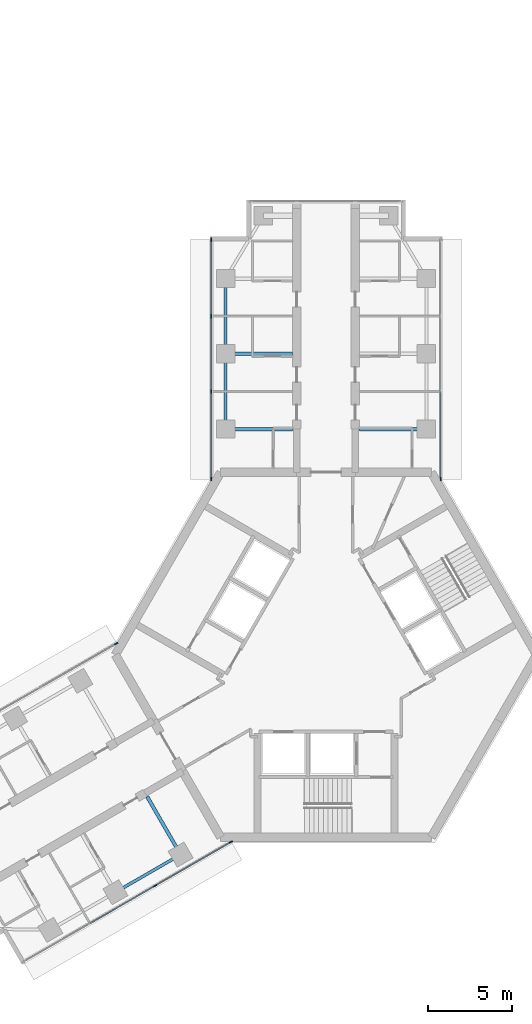
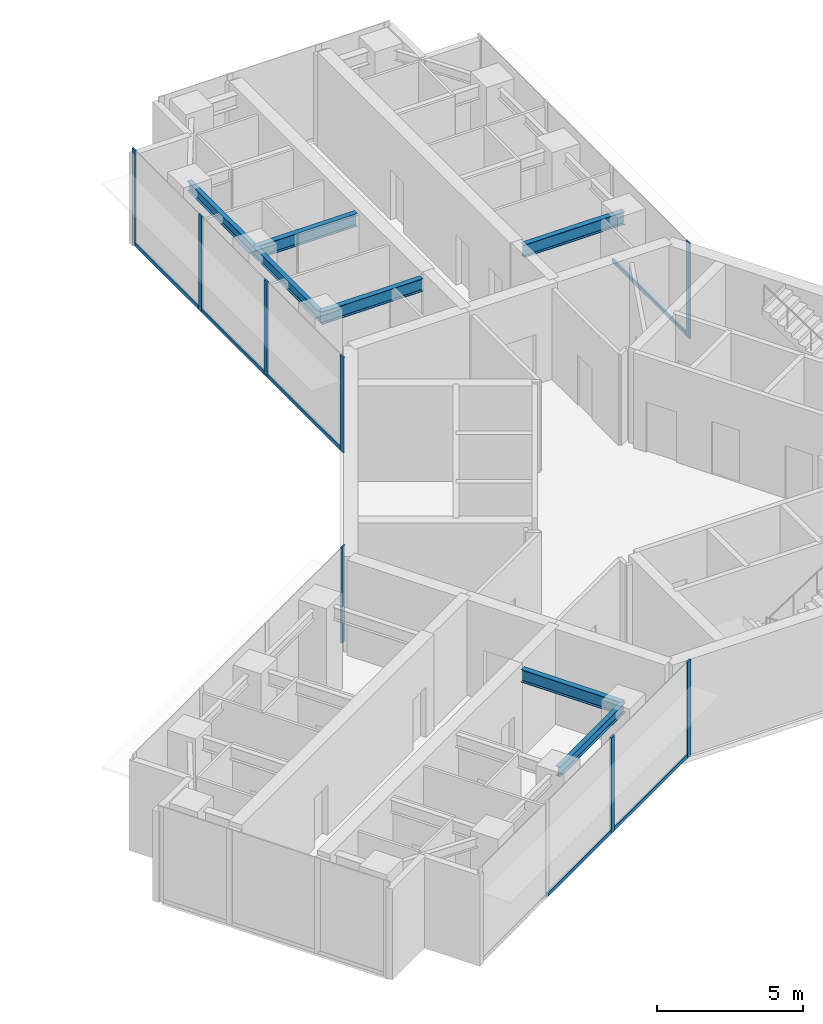
# One storey, part 8 of 18: 14 members, 7 beams, 4 elements without a shape of their own.
"""IFC4 building model written with IfcOpenShell, lengths in metres."""

from ifc_helpers import new_model, si_unit, direction, frame, origin, origin_2d, place, context, subcontext, project, spatial, rectangle, i_section, extrude, material, material_profile, profile_set, type_object, element, aggregate, save


model = new_model("IFC4")

# Units and contexts
model_context = context("Model", 3, precision=1e-05, world=origin(), true_north=direction((0.0, 1.0)))
body_context = subcontext(model_context, "Body", "Model", "MODEL_VIEW")
ifc_project = project(units=[si_unit("LENGTHUNIT", "METRE"), si_unit("AREAUNIT", "SQUARE_METRE"), si_unit("VOLUMEUNIT", "CUBIC_METRE"), si_unit("PLANEANGLEUNIT", "RADIAN"), si_unit("MASSUNIT", "GRAM", prefix="KILO")], contexts=[model_context])

# Site, building, storey
site_placement = place(None, origin())
site = spatial("IfcSite", under=ifc_project, at=site_placement, CompositionType="ELEMENT")
building_placement = place(site_placement, origin())
building = spatial("IfcBuilding", under=site, at=building_placement, Name="Upepo Twin Towers", CompositionType="ELEMENT")
storey_placement = place(building_placement, frame((0.0, 0.0, 222.5)))
storey = spatial("IfcBuildingStorey", under=building, at=storey_placement, Name="L54", CompositionType="ELEMENT", Elevation=222.5)

# Beams
ifc_material_1 = material(Name="Steel S355", Category="steel")
ifc_material_profile_1 = material_profile(ifc_material_1, i_section(OverallWidth=0.177978515625, OverallDepth=0.406494140625, WebThickness=0.0078125, FlangeThickness=0.0126953125, FilletRadius=0.01025390625, at=origin_2d()), Name="UB 406x178x60")
ifc_profile_set_1 = profile_set([ifc_material_profile_1], Name="Steel S355")
beam_type_1 = type_object("IfcBeamType", Name="Beam UB 406x178x60", PredefinedType="BEAM", material=ifc_profile_set_1)
for number, where, z_axis, x_axis, name in (
    (1, (52.5, -4.5, 3.5966796875), (0.0, 1.0, 0.0), (-1.0, 0.0, 0.0), "T2 edge beam AL 13.5-18.0"),
    (2, (52.5, 0.0, 3.5966796875), (0.0, 1.0, 0.0), (-1.0, 0.0, 0.0), "T2 edge beam AL 18.0-22.5"),
):
    element("IfcBeam", number, at=place(storey_placement, frame(where, z_axis=z_axis, x_axis=x_axis)), inside=storey, type_object=beam_type_1, Name=name, PredefinedType="BEAM", context=body_context, shape_type="SweptSolid", body=[
        extrude(i_section(OverallWidth=0.177978515625, OverallDepth=0.406494140625, WebThickness=0.0078125, FlangeThickness=0.0126953125, FilletRadius=0.01025390625, at=origin_2d()), origin(), (0.0, 0.0, 1.0), 4.5),
    ])
beam_placement = place(storey_placement, frame((49.80859375, -29.946044921875, 3.5966796875), z_axis=(-0.866017533419, -0.500013631625, 0.0), x_axis=(0.500013631625, -0.866017533419, 0.0)))
element("IfcBeam", 3, at=beam_placement, inside=storey, type_object=beam_type_1, Name="T2 edge beam BL 13.5-18.0", PredefinedType="BEAM", context=body_context, shape_type="SweptSolid", body=[
    extrude(i_section(OverallWidth=0.177978515625, OverallDepth=0.406494140625, WebThickness=0.0078125, FlangeThickness=0.0126953125, FilletRadius=0.01025390625, at=origin_2d()), origin(), (0.0, 0.0, 1.0), 4.499755859375),
])
ifc_material_2 = material(Name="Steel S355", Category="steel")
ifc_material_profile_2 = material_profile(ifc_material_2, i_section(OverallWidth=0.209228515625, OverallDepth=0.533203125, WebThickness=0.010009765625, FlangeThickness=0.015625, FilletRadius=0.0126953125, at=origin_2d()), Name="UB 533x210x92")
ifc_profile_set_2 = profile_set([ifc_material_profile_2], Name="Steel S355")
beam_type_2 = type_object("IfcBeamType", Name="Beam UB 533x210x92", PredefinedType="BEAM", material=ifc_profile_set_2)
for number, where, z_axis, x_axis, name in (
    (4, (52.5, -4.5, 3.533447265625), (1.0, 0.0, 0.0), (0.0, 1.0, 0.0), "T2 girder AL at 13.5"),
    (5, (52.5, 0.0, 3.533447265625), (1.0, 0.0, 0.0), (0.0, 1.0, 0.0), "T2 girder AL at 18.0"),
    (6, (64.5, -4.5, 3.533447265625), (-1.0, 0.0, 0.0), (0.0, -1.0, 0.0), "T2 girder AR at 13.5"),
    (7, (49.80859375, -29.946044921875, 3.533447265625), (-0.49999894854, 0.866026010844, 0.0), (-0.866026010844, -0.49999894854, 0.0), "T2 girder BL at 13.5"),
):
    element("IfcBeam", number, at=place(storey_placement, frame(where, z_axis=z_axis, x_axis=x_axis)), inside=storey, type_object=beam_type_2, Name=name, PredefinedType="BEAM", context=body_context, shape_type="SweptSolid", body=[
        extrude(i_section(OverallWidth=0.209228515625, OverallDepth=0.533203125, WebThickness=0.010009765625, FlangeThickness=0.015625, FilletRadius=0.0126953125, at=origin_2d()), origin(), (0.0, 0.0, 1.0), 4.0),
    ])

# Curtain wall, members
ifc_material_3 = material(Name="Aluminium and fritted glass", Category="aluminium")
curtain_wall_type = type_object("IfcCurtainWallType", Name="Tower curtain wall TW3, fritted glass", PredefinedType="NOTDEFINED", material=ifc_material_3)
curtain_wall_1_placement = place(storey_placement, origin())
curtain_wall_1 = element("IfcCurtainWall", 8, at=curtain_wall_1_placement, inside=storey, type_object=curtain_wall_type, Name="T2 L54 wing A flank L curtain wall", PredefinedType="NOTDEFINED")
ifc_material_4 = material(Name="Aluminium mullion", Category="aluminium")
ifc_material_profile_3 = material_profile(ifc_material_4, rectangle(XDim=0.06494140625, YDim=0.22509765625, at=origin_2d()), Name="MULLION 65x225")
ifc_profile_set_3 = profile_set([ifc_material_profile_3], Name="Aluminium mullion")
member_type_1 = type_object("IfcMemberType", Name="Mullion 65x225 TW3", PredefinedType="MULLION", material=ifc_profile_set_3)
member_1_placement = place(storey_placement, frame((51.64990234375, -7.48046875, 0.0), z_axis=(0.0, 0.0, 1.0), x_axis=(-1.0, 0.0, 0.0)))
member_1 = element("IfcMember", 9, at=member_1_placement, type_object=member_type_1, Name="T2 L54 wing A flank L curtain wall mullion 1", PredefinedType="MULLION", context=body_context, shape_type="SweptSolid", body=[
    extrude(rectangle(XDim=0.06494140625, YDim=0.22509765625, at=origin_2d()), origin(), (0.0, 0.0, 1.0), 4.0),
])
member_2_placement = place(storey_placement, frame((51.64990234375, -2.25, 0.0), z_axis=(0.0, 0.0, 1.0), x_axis=(-1.0, 0.0, 0.0)))
member_2 = element("IfcMember", 10, at=member_2_placement, type_object=member_type_1, Name="T2 L54 wing A flank L curtain wall mullion 2", PredefinedType="MULLION", context=body_context, shape_type="SweptSolid", body=[
    extrude(rectangle(XDim=0.06494140625, YDim=0.22509765625, at=origin_2d()), origin(), (0.0, 0.0, 1.0), 4.0),
])
member_3_placement = place(storey_placement, frame((51.64990234375, 2.25, 0.0), z_axis=(0.0, 0.0, 1.0), x_axis=(-1.0, 0.0, 0.0)))
member_3 = element("IfcMember", 11, at=member_3_placement, type_object=member_type_1, Name="T2 L54 wing A flank L curtain wall mullion 3", PredefinedType="MULLION", context=body_context, shape_type="SweptSolid", body=[
    extrude(rectangle(XDim=0.06494140625, YDim=0.22509765625, at=origin_2d()), origin(), (0.0, 0.0, 1.0), 4.0),
])
member_4_placement = place(storey_placement, frame((51.64990234375, 6.8173828125, 0.0), z_axis=(0.0, 0.0, 1.0), x_axis=(-1.0, 0.0, 0.0)))
member_4 = element("IfcMember", 12, at=member_4_placement, type_object=member_type_1, Name="T2 L54 wing A flank L curtain wall mullion 4", PredefinedType="MULLION", context=body_context, shape_type="SweptSolid", body=[
    extrude(rectangle(XDim=0.06494140625, YDim=0.22509765625, at=origin_2d()), origin(), (0.0, 0.0, 1.0), 4.0),
])

# Curtain wall, member
curtain_wall_2_placement = place(storey_placement, origin())
curtain_wall_2 = element("IfcCurtainWall", 13, at=curtain_wall_2_placement, inside=storey, type_object=curtain_wall_type, Name="T2 L54 wing A flank R curtain wall", PredefinedType="NOTDEFINED")
member_5_placement = place(storey_placement, frame((65.35009765625, -7.48046875, 0.0), z_axis=(0.0, 0.0, 1.0), x_axis=(1.0, 0.0, 0.0)))
member_5 = element("IfcMember", 14, at=member_5_placement, type_object=member_type_1, Name="T2 L54 wing A flank R curtain wall mullion 4", PredefinedType="MULLION", context=body_context, shape_type="SweptSolid", body=[
    extrude(rectangle(XDim=0.06494140625, YDim=0.22509765625, at=origin_2d()), origin(), (0.0, 0.0, 1.0), 4.0),
])

# Curtain wall, members
curtain_wall_3_placement = place(storey_placement, origin())
curtain_wall_3 = element("IfcCurtainWall", 15, at=curtain_wall_3_placement, inside=storey, type_object=curtain_wall_type, Name="T2 L54 wing B flank L curtain wall", PredefinedType="NOTDEFINED")
member_6_placement = place(storey_placement, frame((52.814697265625, -29.192138671875, 0.0), z_axis=(0.0, 0.0, 1.0), x_axis=(0.500000026527, -0.866025388469, 0.0)))
member_6 = element("IfcMember", 16, at=member_6_placement, type_object=member_type_1, Name="T2 L54 wing B flank L curtain wall mullion 1", PredefinedType="MULLION", context=body_context, shape_type="SweptSolid", body=[
    extrude(rectangle(XDim=0.06494140625, YDim=0.22509765625, at=origin_2d()), origin(), (0.0, 0.0, 1.0), 4.0),
])
member_7_placement = place(storey_placement, frame((48.28515625, -31.807373046875, 0.0), z_axis=(0.0, 0.0, 1.0), x_axis=(0.500000026527, -0.866025388469, 0.0)))
member_7 = element("IfcMember", 17, at=member_7_placement, type_object=member_type_1, Name="T2 L54 wing B flank L curtain wall mullion 2", PredefinedType="MULLION", context=body_context, shape_type="SweptSolid", body=[
    extrude(rectangle(XDim=0.06494140625, YDim=0.22509765625, at=origin_2d()), origin(), (0.0, 0.0, 1.0), 4.0),
])

# Curtain wall, member
curtain_wall_4_placement = place(storey_placement, origin())
curtain_wall_4 = element("IfcCurtainWall", 18, at=curtain_wall_4_placement, inside=storey, type_object=curtain_wall_type, Name="T2 L54 wing B flank R curtain wall", PredefinedType="NOTDEFINED")
member_8_placement = place(storey_placement, frame((45.96484375, -17.32763671875, 0.0), z_axis=(0.0, 0.0, 1.0), x_axis=(-0.500000026527, 0.866025388469, 0.0)))
member_8 = element("IfcMember", 19, at=member_8_placement, type_object=member_type_1, Name="T2 L54 wing B flank R curtain wall mullion 4", PredefinedType="MULLION", context=body_context, shape_type="SweptSolid", body=[
    extrude(rectangle(XDim=0.06494140625, YDim=0.22509765625, at=origin_2d()), origin(), (0.0, 0.0, 1.0), 4.0),
])
aggregate(curtain_wall_4, [member_8])

# Member
ifc_material_5 = material(Name="Aluminium transom", Category="aluminium")
ifc_material_profile_4 = material_profile(ifc_material_5, rectangle(XDim=0.06494140625, YDim=0.14990234375, at=origin_2d()), Name="TRANSOM 65x150")
ifc_profile_set_4 = profile_set([ifc_material_profile_4], Name="Aluminium transom")
member_type_2 = type_object("IfcMemberType", Name="Transom 65x150 TW3", PredefinedType="USERDEFINED", material=ifc_profile_set_4)
member_9_placement = place(storey_placement, frame((51.64990234375, -7.447998046875, 0.074951171875), z_axis=(0.0, 1.0, 0.0), x_axis=(-1.0, 0.0, 0.0)))
member_9 = element("IfcMember", 20, at=member_9_placement, type_object=member_type_2, Name="T2 L54 wing A flank L curtain wall transom 1", ObjectType="TRANSOM", PredefinedType="USERDEFINED", context=body_context, shape_type="SweptSolid", body=[
    extrude(rectangle(XDim=0.06494140625, YDim=0.14990234375, at=origin_2d()), origin(), (0.0, 0.0, 1.0), 5.16552734375),
])

member_10_placement = place(storey_placement, frame((51.64990234375, -2.217529296875, 0.074951171875), z_axis=(0.0, 1.0, 0.0), x_axis=(-1.0, 0.0, 0.0)))
member_10 = element("IfcMember", 21, at=member_10_placement, type_object=member_type_2, Name="T2 L54 wing A flank L curtain wall transom 2", ObjectType="TRANSOM", PredefinedType="USERDEFINED", context=body_context, shape_type="SweptSolid", body=[
    extrude(rectangle(XDim=0.06494140625, YDim=0.14990234375, at=origin_2d()), origin(), (0.0, 0.0, 1.0), 4.43505859375),
])

member_11_placement = place(storey_placement, frame((51.64990234375, 2.282470703125, 0.074951171875), z_axis=(0.0, 1.0, 0.0), x_axis=(-1.0, 0.0, 0.0)))
member_11 = element("IfcMember", 22, at=member_11_placement, type_object=member_type_2, Name="T2 L54 wing A flank L curtain wall transom 3", ObjectType="TRANSOM", PredefinedType="USERDEFINED", context=body_context, shape_type="SweptSolid", body=[
    extrude(rectangle(XDim=0.06494140625, YDim=0.14990234375, at=origin_2d()), origin(), (0.0, 0.0, 1.0), 4.50244140625),
])

aggregate(curtain_wall_1, [member_1, member_2, member_3, member_4, member_9, member_10, member_11])

member_12_placement = place(storey_placement, frame((65.35009765625, -2.282470703125, 0.074951171875), z_axis=(0.0, -1.0, 0.0), x_axis=(1.0, 0.0, 0.0)))
member_12 = element("IfcMember", 23, at=member_12_placement, type_object=member_type_2, Name="T2 L54 wing A flank R curtain wall transom 3", ObjectType="TRANSOM", PredefinedType="USERDEFINED", context=body_context, shape_type="SweptSolid", body=[
    extrude(rectangle(XDim=0.06494140625, YDim=0.14990234375, at=origin_2d()), origin(), (0.0, 0.0, 1.0), 5.16552734375),
])

aggregate(curtain_wall_2, [member_5, member_12])

member_13_placement = place(storey_placement, frame((52.78662109375, -29.208251953125, 0.074951171875), z_axis=(-0.86602108507, -0.500007480159, 0.0), x_axis=(0.500007480159, -0.86602108507, 0.0)))
member_13 = element("IfcMember", 24, at=member_13_placement, type_object=member_type_2, Name="T2 L54 wing B flank L curtain wall transom 1", ObjectType="TRANSOM", PredefinedType="USERDEFINED", context=body_context, shape_type="SweptSolid", body=[
    extrude(rectangle(XDim=0.06494140625, YDim=0.14990234375, at=origin_2d()), origin(), (0.0, 0.0, 1.0), 5.16552734375),
])

member_14_placement = place(storey_placement, frame((48.2568359375, -31.823486328125, 0.074951171875), z_axis=(-0.866022410713, -0.500005184116, 0.0), x_axis=(0.500005184116, -0.866022410713, 0.0)))
member_14 = element("IfcMember", 25, at=member_14_placement, type_object=member_type_2, Name="T2 L54 wing B flank L curtain wall transom 2", ObjectType="TRANSOM", PredefinedType="USERDEFINED", context=body_context, shape_type="SweptSolid", body=[
    extrude(rectangle(XDim=0.06494140625, YDim=0.14990234375, at=origin_2d()), origin(), (0.0, 0.0, 1.0), 4.43505859375),
])

aggregate(curtain_wall_3, [member_6, member_7, member_13, member_14])

save(model, "model.ifc")
